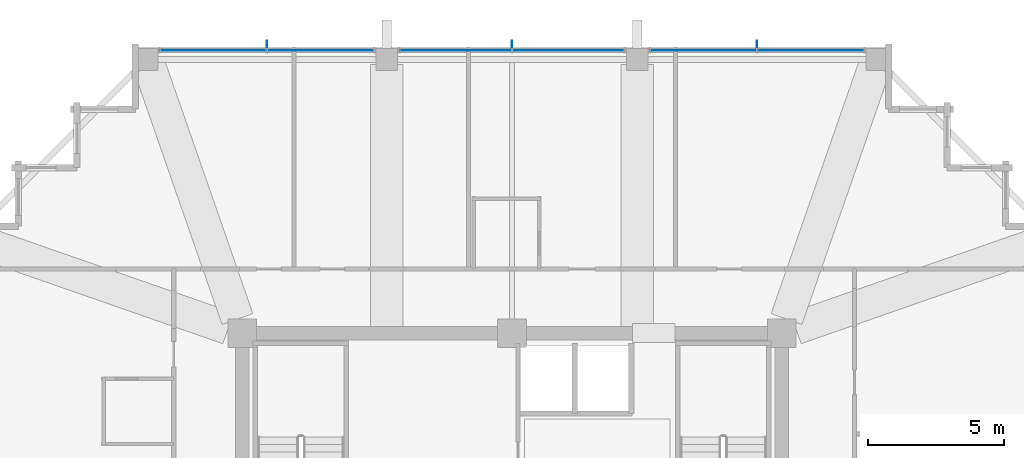
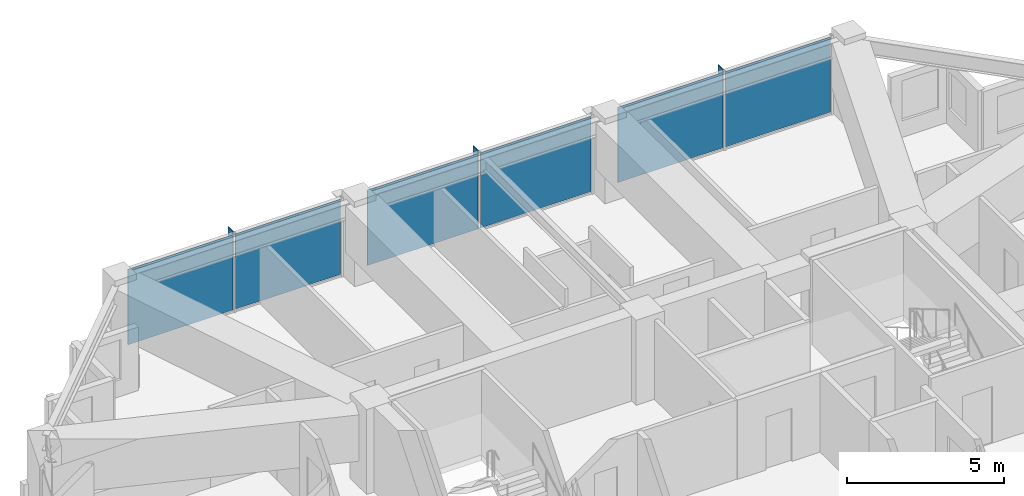
# One storey, part 28 of 35: 9 plates, 3 elements without a shape of their own.
"""IFC4 building model written with IfcOpenShell, lengths in metres."""

from ifc_helpers import new_model, si_unit, direction, frame, origin, origin_2d, place, context, subcontext, project, spatial, rectangle, extrude, material, layer, layer_set, type_object, element, aggregate, save


model = new_model("IFC4")

# Units and contexts
model_context = context("Model", 3, precision=1e-05, world=origin(), true_north=direction((0.0, 1.0)))
body_context = subcontext(model_context, "Body", "Model", "MODEL_VIEW")
ifc_project = project(units=[si_unit("LENGTHUNIT", "METRE"), si_unit("AREAUNIT", "SQUARE_METRE"), si_unit("VOLUMEUNIT", "CUBIC_METRE"), si_unit("PLANEANGLEUNIT", "RADIAN"), si_unit("MASSUNIT", "GRAM", prefix="KILO")], contexts=[model_context])

# Site, building, storey
site_placement = place(None, origin())
site = spatial("IfcSite", under=ifc_project, at=site_placement, CompositionType="ELEMENT")
building_placement = place(site_placement, origin())
building = spatial("IfcBuilding", under=site, at=building_placement, Name="Kolvaren Belvedere", CompositionType="ELEMENT")
storey_placement = place(building_placement, frame((0.0, 0.0, 203.10009765625)))
storey = spatial("IfcBuildingStorey", under=building, at=storey_placement, Name="L59", CompositionType="ELEMENT", Elevation=203.10009765625)

# Curtain wall, plates
ifc_material_1 = material(Name="Anodised pale-metal aluminium AA 6063-T6", Category="aluminium")
curtain_wall_type = type_object("IfcCurtainWallType", Name="CW-Z5-HIGH", PredefinedType="NOTDEFINED", material=ifc_material_1)
curtain_wall_1_placement = place(storey_placement, origin())
curtain_wall_1 = element("IfcCurtainWall", 1, at=curtain_wall_1_placement, inside=storey, type_object=curtain_wall_type, Name="L59 Unitised Curtain Wall FCW-L59-N-B1", PredefinedType="NOTDEFINED")
ifc_material_2 = material(Name="Low-iron triple insulated glass", Category="glass")
ifc_layer_1 = layer(ifc_material_2, 0.028076171875)
ifc_layer_set_1 = layer_set([ifc_layer_1], Name="Low-iron triple insulated glass")
plate_type_1 = type_object("IfcPlateType", Name="CW-PNL-VIS28", PredefinedType="CURTAIN_PANEL", material=ifc_layer_set_1)
plate_1_placement = place(storey_placement, frame((-10.972412109375, 20.280029296875, 0.079833984375), z_axis=(0.0, 0.0, 1.0), x_axis=(1.0, 0.0, 0.0)))
plate_1 = element("IfcPlate", 2, at=plate_1_placement, type_object=plate_type_1, Name="FCW-L59-N-B1 Vision Glazing Panel 1", PredefinedType="CURTAIN_PANEL", context=body_context, shape_type="SweptSolid", body=[
    extrude(rectangle(XDim=3.864990234375, YDim=0.028076171875, at=origin_2d()), origin(), (0.0, 0.0, 1.0), 2.919921875),
])
plate_2_placement = place(storey_placement, frame((-7.027587890625, 20.280029296875, 0.079833984375), z_axis=(0.0, 0.0, 1.0), x_axis=(1.0, 0.0, 0.0)))
plate_2 = element("IfcPlate", 3, at=plate_2_placement, type_object=plate_type_1, Name="FCW-L59-N-B1 Vision Glazing Panel 2", PredefinedType="CURTAIN_PANEL", context=body_context, shape_type="SweptSolid", body=[
    extrude(rectangle(XDim=3.864990234375, YDim=0.028076171875, at=origin_2d()), origin(), (0.0, 0.0, 1.0), 2.919921875),
])
aggregate(curtain_wall_1, [plate_1, plate_2])

curtain_wall_2_placement = place(storey_placement, origin())
curtain_wall_2 = element("IfcCurtainWall", 4, at=curtain_wall_2_placement, inside=storey, type_object=curtain_wall_type, Name="L59 Unitised Curtain Wall FCW-L59-N-B2", PredefinedType="NOTDEFINED")
plate_3_placement = place(storey_placement, frame((-2.072509765625, 20.280029296875, 0.079833984375), z_axis=(0.0, 0.0, 1.0), x_axis=(1.0, 0.0, 0.0)))
plate_3 = element("IfcPlate", 5, at=plate_3_placement, type_object=plate_type_1, Name="FCW-L59-N-B2 Vision Glazing Panel 1", PredefinedType="CURTAIN_PANEL", context=body_context, shape_type="SweptSolid", body=[
    extrude(rectangle(XDim=4.06494140625, YDim=0.028076171875, at=origin_2d()), origin(), (0.0, 0.0, 1.0), 2.919921875),
])
plate_4_placement = place(storey_placement, frame((2.072509765625, 20.280029296875, 0.079833984375), z_axis=(0.0, 0.0, 1.0), x_axis=(1.0, 0.0, 0.0)))
plate_4 = element("IfcPlate", 6, at=plate_4_placement, type_object=plate_type_1, Name="FCW-L59-N-B2 Vision Glazing Panel 2", PredefinedType="CURTAIN_PANEL", context=body_context, shape_type="SweptSolid", body=[
    extrude(rectangle(XDim=4.06494140625, YDim=0.028076171875, at=origin_2d()), origin(), (0.0, 0.0, 1.0), 2.919921875),
])
aggregate(curtain_wall_2, [plate_3, plate_4])

curtain_wall_3_placement = place(storey_placement, origin())
curtain_wall_3 = element("IfcCurtainWall", 7, at=curtain_wall_3_placement, inside=storey, type_object=curtain_wall_type, Name="L59 Unitised Curtain Wall FCW-L59-N-B3", PredefinedType="NOTDEFINED")
plate_5_placement = place(storey_placement, frame((7.027587890625, 20.280029296875, 0.079833984375), z_axis=(0.0, 0.0, 1.0), x_axis=(1.0, 0.0, 0.0)))
plate_5 = element("IfcPlate", 8, at=plate_5_placement, type_object=plate_type_1, Name="FCW-L59-N-B3 Vision Glazing Panel 1", PredefinedType="CURTAIN_PANEL", context=body_context, shape_type="SweptSolid", body=[
    extrude(rectangle(XDim=3.864990234375, YDim=0.028076171875, at=origin_2d()), origin(), (0.0, 0.0, 1.0), 2.919921875),
])
plate_6_placement = place(storey_placement, frame((10.972412109375, 20.280029296875, 0.079833984375), z_axis=(0.0, 0.0, 1.0), x_axis=(1.0, 0.0, 0.0)))
plate_6 = element("IfcPlate", 9, at=plate_6_placement, type_object=plate_type_1, Name="FCW-L59-N-B3 Vision Glazing Panel 2", PredefinedType="CURTAIN_PANEL", context=body_context, shape_type="SweptSolid", body=[
    extrude(rectangle(XDim=3.864990234375, YDim=0.028076171875, at=origin_2d()), origin(), (0.0, 0.0, 1.0), 2.919921875),
])
aggregate(curtain_wall_3, [plate_5, plate_6])

# Plates
ifc_material_3 = material(Name="Anodised pale-metal aluminium AA 6063-T6", Category="aluminium")
ifc_layer_2 = layer(ifc_material_3, 0.030029296875)
ifc_layer_set_2 = layer_set([ifc_layer_2], Name="Anodised pale-metal aluminium AA 6063-T6")
plate_type_2 = type_object("IfcPlateType", Name="FIN-VERT-300", PredefinedType="USERDEFINED", material=ifc_layer_set_2)
for number, where, z_axis, x_axis, name in (
    (10, (-9.0, 20.489990234375, -0.000244140625), (0.0, 0.0, 1.0), (0.0, 1.0, 0.0), "L59 Pale-Metal Vertical Shading Fin FCW-L59-N-B1-1"),
    (11, (0.0, 20.489990234375, -0.000244140625), (0.0, 0.0, 1.0), (0.0, 1.0, 0.0), "L59 Pale-Metal Vertical Shading Fin FCW-L59-N-B2-1"),
    (12, (9.0, 20.489990234375, -0.000244140625), (0.0, 0.0, 1.0), (0.0, 1.0, 0.0), "L59 Pale-Metal Vertical Shading Fin FCW-L59-N-B3-1"),
):
    element("IfcPlate", number, at=place(storey_placement, frame(where, z_axis=z_axis, x_axis=x_axis)), inside=storey, type_object=plate_type_2, Name=name, ObjectType="VERTICAL FIN", PredefinedType="USERDEFINED", context=body_context, shape_type="SweptSolid", body=[
        extrude(rectangle(XDim=0.300048828125, YDim=0.030029296875, at=origin_2d()), origin(), (0.0, 0.0, 1.0), 3.080078125),
    ])

save(model, "model.ifc")
